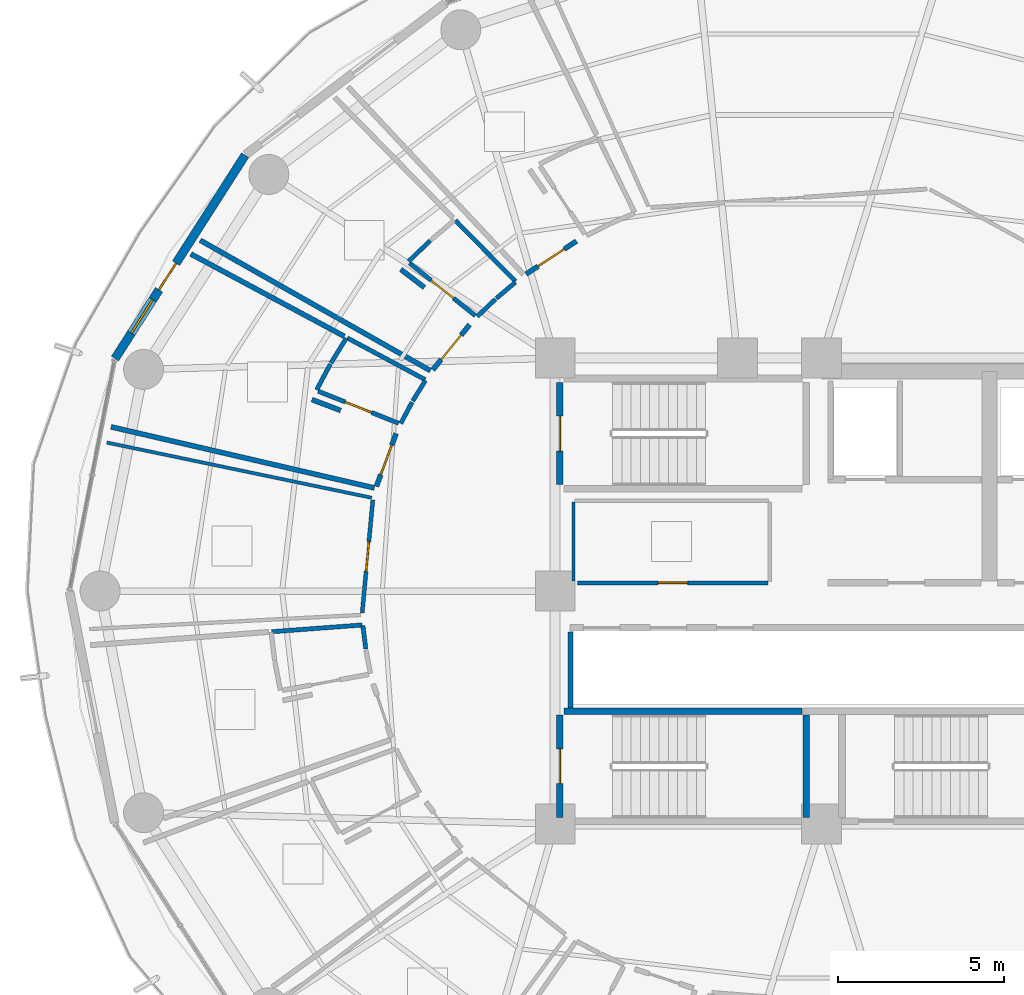
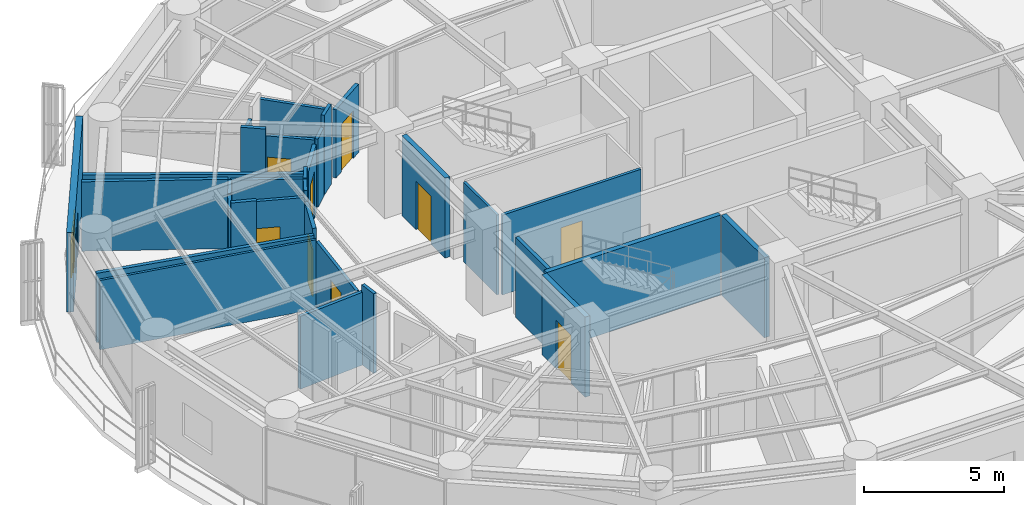
# One storey, part 22 of 28: 31 walls, 10 doors, 1 window, 11 openings.
"""IFC4 building model written with IfcOpenShell, lengths in metres."""

from ifc_helpers import new_model, si_unit, direction, frame, frame_2d, origin, place, context, subcontext, project, spatial, rectangle, extrude, material, layer, layer_set, type_object, element, fill, save


model = new_model("IFC4")

# Units and contexts
model_context = context("Model", 3, precision=1e-05, world=origin(), true_north=direction((0.0, 1.0)))
body_context = subcontext(model_context, "Body", "Model", "MODEL_VIEW")
ifc_project = project(units=[si_unit("LENGTHUNIT", "METRE"), si_unit("AREAUNIT", "SQUARE_METRE"), si_unit("VOLUMEUNIT", "CUBIC_METRE"), si_unit("PLANEANGLEUNIT", "RADIAN"), si_unit("MASSUNIT", "GRAM", prefix="KILO")], contexts=[model_context])

# Site, building, storey
site_placement = place(None, origin())
site = spatial("IfcSite", under=ifc_project, at=site_placement, CompositionType="ELEMENT")
building_placement = place(site_placement, origin())
building = spatial("IfcBuilding", under=site, at=building_placement, Name="Kelanora Arch Commons", CompositionType="ELEMENT")
storey_placement = place(building_placement, frame((0.0, 0.0, 139.35009765625)))
storey = spatial("IfcBuildingStorey", under=building, at=storey_placement, Name="L35", CompositionType="ELEMENT", Elevation=139.35009765625)

# Wall
ifc_material_1 = material(Name="Autoclaved aerated concrete blockwork with fire plaster", Category="masonry")
ifc_layer_1 = layer(ifc_material_1, 0.14990234375)
ifc_layer_set_1 = layer_set([ifc_layer_1], Name="Autoclaved aerated concrete blockwork with fire plaster")
wall_type_1 = type_object("IfcWallType", Name="W-COMP-150", PredefinedType="PARTITIONING", material=ifc_layer_set_1)
wall_1_placement = place(storey_placement, frame((66.4599609375, 54.47998046875, 0.0), z_axis=(0.0, 0.0, 1.0), x_axis=(0.0, 1.0, 0.0)))
element("IfcWall", 1, at=wall_1_placement, inside=storey, type_object=wall_type_1, Name="South Lift Bank West Wall L35", PredefinedType="PARTITIONING", context=body_context, shape_type="SweptSolid", body=[
    extrude(rectangle(XDim=2.2900390625, YDim=0.14990234375, at=frame_2d((1.14501953125, 0.0))), origin(), (0.0, 0.0, 1.0), 3.47998046875),
])

# Wall, opening, door
wall_2_placement = place(storey_placement, frame((66.63671875, 68.51708984375, 0.0), z_axis=(0.0, 0.0, 1.0), x_axis=(-0.836795974783, -0.547514836864, 0.0)))
wall_2 = element("IfcWall", 2, at=wall_2_placement, inside=storey, type_object=wall_type_1, Name="Cluster Bedroom L35-01 Entry Partition", PredefinedType="PARTITIONING", context=body_context, shape_type="SweptSolid", body=[
    extrude(rectangle(XDim=1.80859375, YDim=0.14990234375, at=frame_2d((0.904296875, 0.0))), origin(), (0.0, 0.0, 1.0), 2.974853515625),
])
opening_1_placement = place(wall_2_placement, frame((0.428955078125, 0.0, 0.0)))
opening_1 = element("IfcOpeningElement", 3, at=opening_1_placement, cuts=wall_2, Name="Opening D-CLU1", PredefinedType="OPENING", context=body_context, shape_type="SweptSolid", body=[
    extrude(rectangle(XDim=0.949951171875, YDim=2.080078125, at=frame_2d((0.47509765625, 1.0400390625))), frame((0.0, 0.0849609375, 0.0), z_axis=(0.0, -1.0, 0.0), x_axis=(1.0, 0.0, 0.0)), (0.0, 0.0, 1.0), 0.169921875),
])
ifc_material_2 = material(Name="Solid-core acoustic timber cluster entry fire door", Category="wood")
door_type_1 = type_object("IfcDoorType", Name="D-CLU-95", OperationType="NOTDEFINED", PredefinedType="DOOR", material=ifc_material_2)
door_1_placement = place(opening_1_placement, origin())
door_1 = element("IfcDoor", 4, at=door_1_placement, inside=storey, type_object=door_type_1, Name="Cluster Bedroom L35-01 Door", OperationType="SINGLE_SWING_RIGHT", OverallHeight=2.080078125, OverallWidth=0.949951171875, PredefinedType="DOOR", context=body_context, shape_type="SweptSolid", body=[
    extrude(rectangle(XDim=0.949951171875, YDim=2.080078125, at=frame_2d((0.47509765625, 1.0400390625))), frame((0.0, 0.02490234375, 0.0), z_axis=(0.0, -1.0, 0.0), x_axis=(1.0, 0.0, 0.0)), (0.0, 0.0, 1.0), 0.050048828125),
])
fill(opening_1, door_1)

wall_3_placement = place(storey_placement, frame((63.426025390625, 66.005615234375, 0.0), z_axis=(0.0, 0.0, 1.0), x_axis=(-0.63192798372, -0.775027111391, 0.0)))
wall_3 = element("IfcWall", 5, at=wall_3_placement, inside=storey, type_object=wall_type_1, Name="Cluster Bedroom L35-02 Entry Partition", PredefinedType="PARTITIONING", context=body_context, shape_type="SweptSolid", body=[
    extrude(rectangle(XDim=1.7470703125, YDim=0.14990234375, at=frame_2d((0.87353515625, 0.0))), origin(), (0.0, 0.0, 1.0), 2.974853515625),
])
opening_2_placement = place(wall_3_placement, frame((0.39892578125, 0.0, 0.0)))
opening_2 = element("IfcOpeningElement", 6, at=opening_2_placement, cuts=wall_3, Name="Opening D-CLU1", PredefinedType="OPENING", context=body_context, shape_type="SweptSolid", body=[
    extrude(rectangle(XDim=0.949951171875, YDim=2.080078125, at=frame_2d((0.47509765625, 1.0400390625))), frame((0.0, 0.0849609375, 0.0), z_axis=(0.0, -1.0, 0.0), x_axis=(1.0, 0.0, 0.0)), (0.0, 0.0, 1.0), 0.169921875),
])
door_2_placement = place(opening_2_placement, origin())
door_2 = element("IfcDoor", 7, at=door_2_placement, inside=storey, type_object=door_type_1, Name="Cluster Bedroom L35-02 Door", OperationType="SINGLE_SWING_RIGHT", OverallHeight=2.080078125, OverallWidth=0.949951171875, PredefinedType="DOOR", context=body_context, shape_type="SweptSolid", body=[
    extrude(rectangle(XDim=0.949951171875, YDim=2.080078125, at=frame_2d((0.47509765625, 1.0400390625))), frame((0.0, 0.02490234375, 0.0), z_axis=(0.0, -1.0, 0.0), x_axis=(1.0, 0.0, 0.0)), (0.0, 0.0, 1.0), 0.050048828125),
])
fill(opening_2, door_2)

wall_4_placement = place(storey_placement, frame((61.218017578125, 62.73583984375, 0.0), z_axis=(0.0, 0.0, 1.0), x_axis=(-0.349718783302, -0.93685472332, 0.0)))
wall_4 = element("IfcWall", 8, at=wall_4_placement, inside=storey, type_object=wall_type_1, Name="Cluster Bedroom L35-03 Entry Partition", PredefinedType="PARTITIONING", context=body_context, shape_type="SweptSolid", body=[
    extrude(rectangle(XDim=1.69580078125, YDim=0.14990234375, at=frame_2d((0.847900390625, 0.0))), origin(), (0.0, 0.0, 1.0), 3.23486328125),
])
opening_3_placement = place(wall_4_placement, frame((0.373046875, 0.0, 0.0)))
opening_3 = element("IfcOpeningElement", 9, at=opening_3_placement, cuts=wall_4, Name="Opening D-CLU1", PredefinedType="OPENING", context=body_context, shape_type="SweptSolid", body=[
    extrude(rectangle(XDim=0.949951171875, YDim=2.080078125, at=frame_2d((0.47509765625, 1.0400390625))), frame((0.0, 0.0849609375, 0.0), z_axis=(0.0, -1.0, 0.0), x_axis=(1.0, 0.0, 0.0)), (0.0, 0.0, 1.0), 0.169921875),
])
door_3_placement = place(opening_3_placement, origin())
door_3 = element("IfcDoor", 10, at=door_3_placement, inside=storey, type_object=door_type_1, Name="Cluster Bedroom L35-03 Door", OperationType="SINGLE_SWING_RIGHT", OverallHeight=2.080078125, OverallWidth=0.949951171875, PredefinedType="DOOR", context=body_context, shape_type="SweptSolid", body=[
    extrude(rectangle(XDim=0.949951171875, YDim=2.080078125, at=frame_2d((0.47509765625, 1.0400390625))), frame((0.0, 0.02490234375, 0.0), z_axis=(0.0, -1.0, 0.0), x_axis=(1.0, 0.0, 0.0)), (0.0, 0.0, 1.0), 0.050048828125),
])
fill(opening_3, door_3)

# Walls
wall_5_placement = place(storey_placement, frame((62.249267578125, 64.624755859375, 0.0), z_axis=(0.0, 0.0, 1.0), x_axis=(-0.870077493263, 0.492914957896, 0.0)))
element("IfcWall", 11, at=wall_5_placement, inside=storey, type_object=wall_type_1, Name="Cluster Bedroom L35-02 Enclosure Partition 2", PredefinedType="PARTITIONING", context=body_context, shape_type="SweptSolid", body=[
    extrude(rectangle(XDim=7.95166015625, YDim=0.14990234375, at=frame_2d((3.975830078125, 0.0))), origin(), (0.0, 0.0, 1.0), 2.974853515625),
])
wall_6_placement = place(storey_placement, frame((61.359619140625, 67.668701171875, 0.0), z_axis=(0.0, 0.0, 1.0), x_axis=(0.793020417561, -0.609195056884, 0.0)))
element("IfcWall", 12, at=wall_6_placement, inside=storey, type_object=wall_type_1, Name="Cluster Bedroom L35-02 Enclosure Partition 7", PredefinedType="PARTITIONING", context=body_context, shape_type="SweptSolid", body=[
    extrude(rectangle(XDim=0.892578125, YDim=0.14990234375, at=frame_2d((0.4462890625, 0.0))), origin(), (0.0, 0.0, 1.0), 3.47998046875),
])
wall_7_placement = place(storey_placement, frame((60.56494140625, 61.10009765625, 0.0), z_axis=(0.0, 0.0, 1.0), x_axis=(-0.97414388338, 0.225928516292, 0.0)))
element("IfcWall", 13, at=wall_7_placement, inside=storey, type_object=wall_type_1, Name="Cluster Bedroom L35-03 Enclosure Partition 2", PredefinedType="PARTITIONING", context=body_context, shape_type="SweptSolid", body=[
    extrude(rectangle(XDim=8.121826171875, YDim=0.14990234375, at=frame_2d((4.06103515625, 0.0))), origin(), (0.0, 0.0, 1.0), 3.02490234375),
])
wall_8_placement = place(storey_placement, frame((55.04931640625, 68.131103515625, 0.0), z_axis=(0.0, 0.0, 1.0), x_axis=(0.881257916537, -0.472635678447, 0.0)))
element("IfcWall", 14, at=wall_8_placement, inside=storey, type_object=wall_type_1, Name="Cluster Bedroom L35-03 Enclosure Partition 5", PredefinedType="PARTITIONING", context=body_context, shape_type="SweptSolid", body=[
    extrude(rectangle(XDim=5.232666015625, YDim=0.14990234375, at=frame_2d((2.6162109375, 0.0))), origin(), (0.0, 0.0, 1.0), 3.02490234375),
])
wall_9_placement = place(storey_placement, frame((58.6884765625, 63.7548828125, 0.0), z_axis=(0.0, 0.0, 1.0), x_axis=(0.935532386314, -0.353240929336, 0.0)))
element("IfcWall", 15, at=wall_9_placement, inside=storey, type_object=wall_type_1, Name="Cluster Bedroom L35-03 Enclosure Partition 7", PredefinedType="PARTITIONING", context=body_context, shape_type="SweptSolid", body=[
    extrude(rectangle(XDim=0.921875, YDim=0.14990234375, at=frame_2d((0.4609375, 0.0))), origin(), (0.0, 0.0, 1.0), 3.47998046875),
])

# Wall, openings, door, window
ifc_material_3 = material(Name="Precast concrete C40/50 with terracotta rainscreen", Category="masonry")
ifc_layer_2 = layer(ifc_material_3, 0.260009765625)
ifc_layer_set_2 = layer_set([ifc_layer_2], Name="Precast concrete C40/50 with terracotta rainscreen")
wall_type_2 = type_object("IfcWallType", Name="W-EXT-TC", PredefinedType="SOLIDWALL", material=ifc_layer_set_2)
wall_10_placement = place(storey_placement, frame((56.67919921875, 71.100341796875, 0.0), z_axis=(0.0, 0.0, 1.0), x_axis=(-0.538801521808, -0.842432739213, 0.0)))
wall_10 = element("IfcWall", 16, at=wall_10_placement, inside=storey, type_object=wall_type_2, Name="Terracotta Exterior Wall L35-B07", PredefinedType="SOLIDWALL", context=body_context, shape_type="SweptSolid", body=[
    extrude(rectangle(XDim=7.25341796875, YDim=0.260009765625, at=frame_2d((3.626708984375, 0.0))), origin(), (0.0, 0.0, 1.0), 3.474853515625),
])
opening_4_placement = place(wall_10_placement, frame((3.85205078125, 0.0, 0.0)))
opening_4 = element("IfcOpeningElement", 17, at=opening_4_placement, cuts=wall_10, Name="Opening DB-01", PredefinedType="OPENING", context=body_context, shape_type="SweptSolid", body=[
    extrude(rectangle(XDim=0.949951171875, YDim=2.10009765625, at=frame_2d((0.47509765625, 1.050048828125))), frame((0.0, 0.14013671875, 0.0), z_axis=(0.0, -1.0, 0.0), x_axis=(1.0, 0.0, 0.0)), (0.0, 0.0, 1.0), 0.280029296875),
])
opening_5_placement = place(wall_10_placement, frame((5.152099609375, 0.0, 0.85009765625)))
opening_5 = element("IfcOpeningElement", 18, at=opening_5_placement, cuts=wall_10, Name="Opening WN-02", PredefinedType="OPENING", context=body_context, shape_type="SweptSolid", body=[
    extrude(rectangle(XDim=1.199951171875, YDim=1.449951171875, at=frame_2d((0.60009765625, 0.72509765625))), frame((0.0, 0.14013671875, 0.0), z_axis=(0.0, -1.0, 0.0), x_axis=(1.0, 0.0, 0.0)), (0.0, 0.0, 1.0), 0.280029296875),
])
ifc_material_4 = material(Name="Terracotta-aluminium thermally broken glazed balcony door", Category="masonry")
door_type_2 = type_object("IfcDoorType", Name="D-BAL-10", OperationType="NOTDEFINED", PredefinedType="DOOR", material=ifc_material_4)
door_4_placement = place(opening_4_placement, frame((0.949951171875, 0.0, 0.0), z_axis=(0.0, 0.0, 1.0), x_axis=(-1.0, 0.0, 0.0)))
door_4 = element("IfcDoor", 19, at=door_4_placement, inside=storey, type_object=door_type_2, Name="Wave Balcony Door L35-B07", OperationType="SINGLE_SWING_LEFT", OverallHeight=2.10009765625, OverallWidth=0.949951171875, PredefinedType="DOOR", context=body_context, shape_type="SweptSolid", body=[
    extrude(rectangle(XDim=0.949951171875, YDim=2.10009765625, at=frame_2d((0.47509765625, 1.050048828125))), frame((0.0, 0.02490234375, 0.0), z_axis=(0.0, -1.0, 0.0), x_axis=(1.0, 0.0, 0.0)), (0.0, 0.0, 1.0), 0.050048828125),
])
fill(opening_4, door_4)
ifc_material_5 = material(Name="Terracotta-anodised aluminium frame with operable awning sash", Category="masonry")
window_type = type_object("IfcWindowType", Name="WIN-CL-12", PartitioningType="SINGLE_PANEL", PredefinedType="WINDOW", material=ifc_material_5)
window_placement = place(opening_5_placement, origin())
window = element("IfcWindow", 20, at=window_placement, inside=storey, type_object=window_type, Name="Co-Living Operable Window L35-B07", OverallHeight=1.449951171875, OverallWidth=1.199951171875, PartitioningType="SINGLE_PANEL", PredefinedType="WINDOW", context=body_context, shape_type="SweptSolid", body=[
    extrude(rectangle(XDim=1.199951171875, YDim=1.449951171875, at=frame_2d((0.60009765625, 0.72509765625))), frame((0.0, 0.030029296875, 0.0), z_axis=(0.0, -1.0, 0.0), x_axis=(1.0, 0.0, 0.0)), (0.0, 0.0, 1.0), 0.06005859375),
])
fill(opening_5, window)

# Walls
ifc_material_6 = material(Name="Lightweight fire-rated acoustic stud partition")
ifc_layer_3 = layer(ifc_material_6, 0.10009765625)
ifc_layer_set_3 = layer_set([ifc_layer_3], Name="Lightweight fire-rated acoustic stud partition")
wall_type_3 = type_object("IfcWallType", Name="W-PART-100", PredefinedType="PARTITIONING", material=ifc_layer_set_3)
wall_11_placement = place(storey_placement, frame((66.550048828125, 60.679931640625, 0.0), z_axis=(0.0, 0.0, 1.0), x_axis=(0.0, -1.0, 0.0)))
element("IfcWall", 21, at=wall_11_placement, inside=storey, type_object=wall_type_3, Name="Reclaimed Core Study Pod Lounge L35 Enclosure Partition 4", PredefinedType="PARTITIONING", context=body_context, shape_type="SweptSolid", body=[
    extrude(rectangle(XDim=2.383056640625, YDim=0.10009765625, at=frame_2d((1.19140625, 0.0))), origin(), (0.0, 0.0, 1.0), 3.47998046875),
])
wall_12_placement = place(storey_placement, frame((52.525146484375, 62.4638671875, 0.0), z_axis=(0.0, 0.0, 1.0), x_axis=(0.978946183013, -0.204118521367, 0.0)))
element("IfcWall", 22, at=wall_12_placement, inside=storey, type_object=wall_type_3, Name="Shared Cluster Kitchen L35-04 Enclosure Partition 4", PredefinedType="PARTITIONING", context=body_context, shape_type="SweptSolid", body=[
    extrude(rectangle(XDim=8.130859375, YDim=0.10009765625, at=frame_2d((4.0654296875, 0.0))), origin(), (0.0, 0.0, 1.0), 3.02490234375),
])

# Wall, opening, door
ifc_material_7 = material(Name="Acoustic twin-stud fire-rated gypsum partition")
ifc_layer_4 = layer(ifc_material_7, 0.1201171875)
ifc_layer_set_4 = layer_set([ifc_layer_4], Name="Acoustic twin-stud fire-rated gypsum partition")
wall_type_4 = type_object("IfcWallType", Name="W-PART-120", PredefinedType="PARTITIONING", material=ifc_layer_set_4)
wall_13_placement = place(storey_placement, frame((66.67529296875, 58.25, 0.0), z_axis=(0.0, 0.0, 1.0), x_axis=(1.0, 0.0, 0.0)))
wall_13 = element("IfcWall", 23, at=wall_13_placement, inside=storey, type_object=wall_type_4, Name="Reclaimed Core Study Pod Lounge L35 Entry Partition", PredefinedType="PARTITIONING", context=body_context, shape_type="SweptSolid", body=[
    extrude(rectangle(XDim=5.714599609375, YDim=0.1201171875, at=frame_2d((2.857421875, 0.0))), origin(), (0.0, 0.0, 1.0), 3.47998046875),
])
opening_6_placement = place(wall_13_placement, frame((2.406982421875, 0.0, 0.0)))
opening_6 = element("IfcOpeningElement", 24, at=opening_6_placement, cuts=wall_13, Name="Opening D-RM1", PredefinedType="OPENING", context=body_context, shape_type="SweptSolid", body=[
    extrude(rectangle(XDim=0.89990234375, YDim=2.080078125, at=frame_2d((0.449951171875, 1.0400390625))), frame((0.0, 0.070068359375, 0.0), z_axis=(0.0, -1.0, 0.0), x_axis=(1.0, 0.0, 0.0)), (0.0, 0.0, 1.0), 0.14013671875),
])
ifc_material_8 = material(Name="Acoustic fire-rated timber study and lounge door", Category="wood")
door_type_3 = type_object("IfcDoorType", Name="D-ROOM-90", OperationType="NOTDEFINED", PredefinedType="DOOR", material=ifc_material_8)
door_5_placement = place(opening_6_placement, origin())
door_5 = element("IfcDoor", 25, at=door_5_placement, inside=storey, type_object=door_type_3, Name="Reclaimed Core Study Pod Lounge L35 Door", OperationType="SINGLE_SWING_RIGHT", OverallHeight=2.080078125, OverallWidth=0.89990234375, PredefinedType="DOOR", context=body_context, shape_type="SweptSolid", body=[
    extrude(rectangle(XDim=0.89990234375, YDim=2.080078125, at=frame_2d((0.449951171875, 1.0400390625))), frame((0.0, 0.02490234375, 0.0), z_axis=(0.0, -1.0, 0.0), x_axis=(1.0, 0.0, 0.0)), (0.0, 0.0, 1.0), 0.050048828125),
])
fill(opening_6, door_5)

wall_14_placement = place(storey_placement, frame((60.518310546875, 60.736328125, 0.0), z_axis=(0.0, 0.0, 1.0), x_axis=(-0.093855600535, -0.995585820634, 0.0)))
wall_14 = element("IfcWall", 26, at=wall_14_placement, inside=storey, type_object=wall_type_4, Name="Shared Cluster Kitchen L35-04 Entry Partition", PredefinedType="PARTITIONING", context=body_context, shape_type="SweptSolid", body=[
    extrude(rectangle(XDim=3.40771484375, YDim=0.1201171875, at=frame_2d((1.703857421875, 0.0))), origin(), (0.0, 0.0, 1.0), 2.974853515625),
])
opening_7_placement = place(wall_14_placement, frame((1.25390625, 0.0, 0.0)))
opening_7 = element("IfcOpeningElement", 27, at=opening_7_placement, cuts=wall_14, Name="Opening D-RM1", PredefinedType="OPENING", context=body_context, shape_type="SweptSolid", body=[
    extrude(rectangle(XDim=0.89990234375, YDim=2.080078125, at=frame_2d((0.449951171875, 1.0400390625))), frame((0.0, 0.070068359375, 0.0), z_axis=(0.0, -1.0, 0.0), x_axis=(1.0, 0.0, 0.0)), (0.0, 0.0, 1.0), 0.14013671875),
])
door_6_placement = place(opening_7_placement, origin())
door_6 = element("IfcDoor", 28, at=door_6_placement, inside=storey, type_object=door_type_3, Name="Shared Cluster Kitchen L35-04 Door", OperationType="SINGLE_SWING_LEFT", OverallHeight=2.080078125, OverallWidth=0.89990234375, PredefinedType="DOOR", context=body_context, shape_type="SweptSolid", body=[
    extrude(rectangle(XDim=0.89990234375, YDim=2.080078125, at=frame_2d((0.449951171875, 1.0400390625))), frame((0.0, 0.02490234375, 0.0), z_axis=(0.0, -1.0, 0.0), x_axis=(1.0, 0.0, 0.0)), (0.0, 0.0, 1.0), 0.050048828125),
])
fill(opening_7, door_6)

ifc_material_9 = material(Name="Concrete C40/50", Category="concrete")
ifc_layer_5 = layer(ifc_material_9, 0.199951171875)
ifc_layer_set_5 = layer_set([ifc_layer_5], Name="Concrete C40/50")
wall_type_5 = type_object("IfcWallType", Name="W-STAIR-200", PredefinedType="SHEAR", material=ifc_layer_set_5)
wall_15_placement = place(storey_placement, frame((66.139892578125, 64.27001953125, 0.0), z_axis=(0.0, 0.0, 1.0), x_axis=(0.0, -1.0, 0.0)))
wall_15 = element("IfcWall", 29, at=wall_15_placement, inside=storey, type_object=wall_type_5, Name="Stair ST-T1 Shaft Wall W L35", PredefinedType="SHEAR", context=body_context, shape_type="SweptSolid", body=[
    extrude(rectangle(XDim=3.070068359375, YDim=0.199951171875, at=frame_2d((1.53515625, 0.0))), origin(), (0.0, 0.0, 1.0), 3.489990234375),
])
opening_8_placement = place(wall_15_placement, frame((1.010009765625, 0.0, 0.0)))
opening_8 = element("IfcOpeningElement", 30, at=opening_8_placement, cuts=wall_15, Name="Opening D-ST1", PredefinedType="OPENING", context=body_context, shape_type="SweptSolid", body=[
    extrude(rectangle(XDim=1.050048828125, YDim=2.10009765625, at=frame_2d((0.52490234375, 1.050048828125))), frame((0.0, 0.10986328125, 0.0), z_axis=(0.0, -1.0, 0.0), x_axis=(1.0, 0.0, 0.0)), (0.0, 0.0, 1.0), 0.219970703125),
])
ifc_material_10 = material(Name="Steel fire-rated stairwell escape door", Category="steel")
door_type_4 = type_object("IfcDoorType", Name="D-STAIR-110", OperationType="NOTDEFINED", PredefinedType="DOOR", material=ifc_material_10)
door_7_placement = place(opening_8_placement, origin())
door_7 = element("IfcDoor", 31, at=door_7_placement, inside=storey, type_object=door_type_4, Name="Stair ST-T1 Escape Door L35", OperationType="SINGLE_SWING_LEFT", OverallHeight=2.10009765625, OverallWidth=1.050048828125, PredefinedType="DOOR", context=body_context, shape_type="SweptSolid", body=[
    extrude(rectangle(XDim=1.050048828125, YDim=2.10009765625, at=frame_2d((0.52490234375, 1.050048828125))), frame((0.0, 0.02490234375, 0.0), z_axis=(0.0, -1.0, 0.0), x_axis=(1.0, 0.0, 0.0)), (0.0, 0.0, 1.0), 0.050048828125),
])
fill(opening_8, door_7)

# Walls
wall_16_placement = place(storey_placement, frame((73.5400390625, 51.199951171875, 0.0), z_axis=(0.0, 0.0, 1.0), x_axis=(0.0, 1.0, 0.0)))
element("IfcWall", 32, at=wall_16_placement, inside=storey, type_object=wall_type_5, Name="Stair ST-T3 Shaft Wall E L35", PredefinedType="SHEAR", context=body_context, shape_type="SweptSolid", body=[
    extrude(rectangle(XDim=3.070068359375, YDim=0.199951171875, at=frame_2d((1.53515625, 0.0))), origin(), (0.0, 0.0, 1.0), 3.489990234375),
])
wall_17_placement = place(storey_placement, frame((73.419921875, 54.389892578125, 0.0), z_axis=(0.0, 0.0, 1.0), x_axis=(-1.0, 0.0, 0.0)))
element("IfcWall", 33, at=wall_17_placement, inside=storey, type_object=wall_type_5, Name="Stair ST-T3 Shaft Wall N L35", PredefinedType="SHEAR", context=body_context, shape_type="SweptSolid", body=[
    extrude(rectangle(XDim=7.159912109375, YDim=0.199951171875, at=frame_2d((3.580078125, 0.0))), origin(), (0.0, 0.0, 1.0), 3.489990234375),
])

# Wall, opening, door
wall_18_placement = place(storey_placement, frame((66.139892578125, 54.27001953125, 0.0), z_axis=(0.0, 0.0, 1.0), x_axis=(0.0, -1.0, 0.0)))
wall_18 = element("IfcWall", 34, at=wall_18_placement, inside=storey, type_object=wall_type_5, Name="Stair ST-T3 Shaft Wall W L35", PredefinedType="SHEAR", context=body_context, shape_type="SweptSolid", body=[
    extrude(rectangle(XDim=3.070068359375, YDim=0.199951171875, at=frame_2d((1.53515625, 0.0))), origin(), (0.0, 0.0, 1.0), 3.489990234375),
])
opening_9_placement = place(wall_18_placement, frame((1.010009765625, 0.0, 0.0)))
opening_9 = element("IfcOpeningElement", 35, at=opening_9_placement, cuts=wall_18, Name="Opening D-ST1", PredefinedType="OPENING", context=body_context, shape_type="SweptSolid", body=[
    extrude(rectangle(XDim=1.050048828125, YDim=2.10009765625, at=frame_2d((0.52490234375, 1.050048828125))), frame((0.0, 0.10986328125, 0.0), z_axis=(0.0, -1.0, 0.0), x_axis=(1.0, 0.0, 0.0)), (0.0, 0.0, 1.0), 0.219970703125),
])
door_8_placement = place(opening_9_placement, origin())
door_8 = element("IfcDoor", 36, at=door_8_placement, inside=storey, type_object=door_type_4, Name="Stair ST-T3 Escape Door L35", OperationType="SINGLE_SWING_LEFT", OverallHeight=2.10009765625, OverallWidth=1.050048828125, PredefinedType="DOOR", context=body_context, shape_type="SweptSolid", body=[
    extrude(rectangle(XDim=1.050048828125, YDim=2.10009765625, at=frame_2d((0.52490234375, 1.050048828125))), frame((0.0, 0.02490234375, 0.0), z_axis=(0.0, -1.0, 0.0), x_axis=(1.0, 0.0, 0.0)), (0.0, 0.0, 1.0), 0.050048828125),
])
fill(opening_9, door_8)

ifc_material_11 = material(Name="Moisture-resistant fire-rated cement-board plumbing wall")
ifc_layer_6 = layer(ifc_material_11, 0.1298828125)
ifc_layer_set_6 = layer_set([ifc_layer_6], Name="Moisture-resistant fire-rated cement-board plumbing wall")
wall_type_6 = type_object("IfcWallType", Name="W-WET-120", PredefinedType="PLUMBINGWALL", material=ifc_layer_set_6)
wall_19_placement = place(storey_placement, frame((63.59912109375, 66.2783203125, 0.0), z_axis=(0.0, 0.0, 1.0), x_axis=(-0.781386491078, 0.624047395284, 0.0)))
wall_19 = element("IfcWall", 37, at=wall_19_placement, inside=storey, type_object=wall_type_6, Name="En-Suite Shower WC L35-02 Entry Partition", PredefinedType="PLUMBINGWALL", context=body_context, shape_type="SweptSolid", body=[
    extrude(rectangle(XDim=2.529296875, YDim=0.1298828125, at=frame_2d((1.2646484375, 0.0))), origin(), (0.0, 0.0, 1.0), 2.974853515625),
])
opening_10_placement = place(wall_19_placement, frame((0.8349609375, 0.0, 0.0)))
opening_10 = element("IfcOpeningElement", 38, at=opening_10_placement, cuts=wall_19, Name="Opening D-BT1", PredefinedType="OPENING", context=body_context, shape_type="SweptSolid", body=[
    extrude(rectangle(XDim=0.860107421875, YDim=2.050048828125, at=frame_2d((0.43017578125, 1.02490234375))), frame((0.0, 0.074951171875, 0.0), z_axis=(0.0, -1.0, 0.0), x_axis=(1.0, 0.0, 0.0)), (0.0, 0.0, 1.0), 0.14990234375),
])
ifc_material_12 = material(Name="Moisture-sealed fire-rated accessible bathroom door")
door_type_5 = type_object("IfcDoorType", Name="D-BATH-85", OperationType="NOTDEFINED", PredefinedType="DOOR", material=ifc_material_12)
door_9_placement = place(opening_10_placement, origin())
door_9 = element("IfcDoor", 39, at=door_9_placement, inside=storey, type_object=door_type_5, Name="En-Suite Shower WC L35-02 Door", OperationType="SINGLE_SWING_LEFT", OverallHeight=2.050048828125, OverallWidth=0.860107421875, PredefinedType="DOOR", context=body_context, shape_type="SweptSolid", body=[
    extrude(rectangle(XDim=0.860107421875, YDim=2.050048828125, at=frame_2d((0.43017578125, 1.02490234375))), frame((0.0, 0.02490234375, 0.0), z_axis=(0.0, -1.0, 0.0), x_axis=(1.0, 0.0, 0.0)), (0.0, 0.0, 1.0), 0.050048828125),
])
fill(opening_10, door_9)

wall_20_placement = place(storey_placement, frame((61.293212890625, 63.044189453125, 0.0), z_axis=(0.0, 0.0, 1.0), x_axis=(-0.929051463741, 0.369950507123, 0.0)))
wall_20 = element("IfcWall", 40, at=wall_20_placement, inside=storey, type_object=wall_type_6, Name="En-Suite Shower WC L35-03 Entry Partition", PredefinedType="PLUMBINGWALL", context=body_context, shape_type="SweptSolid", body=[
    extrude(rectangle(XDim=2.60205078125, YDim=0.1298828125, at=frame_2d((1.301025390625, 0.0))), origin(), (0.0, 0.0, 1.0), 3.23486328125),
])
opening_11_placement = place(wall_20_placement, frame((0.87109375, 0.0, 0.0)))
opening_11 = element("IfcOpeningElement", 41, at=opening_11_placement, cuts=wall_20, Name="Opening D-BT1", PredefinedType="OPENING", context=body_context, shape_type="SweptSolid", body=[
    extrude(rectangle(XDim=0.860107421875, YDim=2.050048828125, at=frame_2d((0.43017578125, 1.02490234375))), frame((0.0, 0.074951171875, 0.0), z_axis=(0.0, -1.0, 0.0), x_axis=(1.0, 0.0, 0.0)), (0.0, 0.0, 1.0), 0.14990234375),
])
door_10_placement = place(opening_11_placement, origin())
door_10 = element("IfcDoor", 42, at=door_10_placement, inside=storey, type_object=door_type_5, Name="En-Suite Shower WC L35-03 Door", OperationType="SINGLE_SWING_LEFT", OverallHeight=2.050048828125, OverallWidth=0.860107421875, PredefinedType="DOOR", context=body_context, shape_type="SweptSolid", body=[
    extrude(rectangle(XDim=0.860107421875, YDim=2.050048828125, at=frame_2d((0.43017578125, 1.02490234375))), frame((0.0, 0.02490234375, 0.0), z_axis=(0.0, -1.0, 0.0), x_axis=(1.0, 0.0, 0.0)), (0.0, 0.0, 1.0), 0.050048828125),
])
fill(opening_11, door_10)

# Walls
wall_21_placement = place(storey_placement, frame((64.802734375, 67.281982421875, 0.0), z_axis=(0.0, 0.0, 1.0), x_axis=(-0.762941836055, -0.646467133578, 0.0)))
element("IfcWall", 43, at=wall_21_placement, inside=storey, type_object=wall_type_6, Name="En-Suite Shower WC L35-02 Enclosure Partition 1", PredefinedType="PLUMBINGWALL", context=body_context, shape_type="SweptSolid", body=[
    extrude(rectangle(XDim=0.75048828125, YDim=0.1298828125, at=frame_2d((0.375244140625, 0.0))), origin(), (0.0, 0.0, 1.0), 3.47998046875),
])
wall_22_placement = place(storey_placement, frame((64.200439453125, 66.770263671875, 0.0), z_axis=(0.0, 0.0, 1.0), x_axis=(-0.723429788657, -0.690397958343, 0.0)))
element("IfcWall", 44, at=wall_22_placement, inside=storey, type_object=wall_type_6, Name="En-Suite Shower WC L35-02 Enclosure Partition 2", PredefinedType="PLUMBINGWALL", context=body_context, shape_type="SweptSolid", body=[
    extrude(rectangle(XDim=0.74658203125, YDim=0.1298828125, at=frame_2d((0.373291015625, 0.0))), origin(), (0.0, 0.0, 1.0), 2.974853515625),
])
wall_23_placement = place(storey_placement, frame((61.590576171875, 67.90771484375, 0.0), z_axis=(0.0, 0.0, 1.0), x_axis=(0.722606643047, 0.691259458831, 0.0)))
element("IfcWall", 45, at=wall_23_placement, inside=storey, type_object=wall_type_6, Name="En-Suite Shower WC L35-02 Enclosure Partition 4", PredefinedType="PLUMBINGWALL", context=body_context, shape_type="SweptSolid", body=[
    extrude(rectangle(XDim=0.9033203125, YDim=0.1298828125, at=frame_2d((0.45166015625, 0.0))), origin(), (0.0, 0.0, 1.0), 2.974853515625),
])
wall_24_placement = place(storey_placement, frame((62.99609375, 69.144775390625, 0.0), z_axis=(0.0, 0.0, 1.0), x_axis=(0.701684931383, -0.712487373271, 0.0)))
element("IfcWall", 46, at=wall_24_placement, inside=storey, type_object=wall_type_6, Name="En-Suite Shower WC L35-02 Enclosure Partition 6", PredefinedType="PLUMBINGWALL", context=body_context, shape_type="SweptSolid", body=[
    extrude(rectangle(XDim=2.576416015625, YDim=0.1298828125, at=frame_2d((1.2880859375, 0.0))), origin(), (0.0, 0.0, 1.0), 3.23486328125),
])
wall_25_placement = place(storey_placement, frame((62.097412109375, 64.3291015625, 0.0), z_axis=(0.0, 0.0, 1.0), x_axis=(-0.524547607878, -0.851381117402, 0.0)))
element("IfcWall", 47, at=wall_25_placement, inside=storey, type_object=wall_type_6, Name="En-Suite Shower WC L35-03 Enclosure Partition 1", PredefinedType="PLUMBINGWALL", context=body_context, shape_type="SweptSolid", body=[
    extrude(rectangle(XDim=0.72607421875, YDim=0.1298828125, at=frame_2d((0.363037109375, 0.0))), origin(), (0.0, 0.0, 1.0), 3.47998046875),
])
wall_26_placement = place(storey_placement, frame((61.696533203125, 63.67626953125, 0.0), z_axis=(0.0, 0.0, 1.0), x_axis=(-0.469163481751, -0.88311133352, 0.0)))
element("IfcWall", 48, at=wall_26_placement, inside=storey, type_object=wall_type_6, Name="En-Suite Shower WC L35-03 Enclosure Partition 2", PredefinedType="PLUMBINGWALL", context=body_context, shape_type="SweptSolid", body=[
    extrude(rectangle(XDim=0.720703125, YDim=0.1298828125, at=frame_2d((0.3603515625, 0.0))), origin(), (0.0, 0.0, 1.0), 3.47998046875),
])
wall_27_placement = place(storey_placement, frame((58.829345703125, 64.046630859375, 0.0), z_axis=(0.0, 0.0, 1.0), x_axis=(0.469311809042, 0.883032516895, 0.0)))
element("IfcWall", 49, at=wall_27_placement, inside=storey, type_object=wall_type_6, Name="En-Suite Shower WC L35-03 Enclosure Partition 4", PredefinedType="PLUMBINGWALL", context=body_context, shape_type="SweptSolid", body=[
    extrude(rectangle(XDim=0.8740234375, YDim=0.1298828125, at=frame_2d((0.43701171875, 0.0))), origin(), (0.0, 0.0, 1.0), 2.974853515625),
])
wall_28_placement = place(storey_placement, frame((59.259521484375, 64.85302734375, 0.0), z_axis=(0.0, 0.0, 1.0), x_axis=(0.524097425664, 0.851658316705, 0.0)))
element("IfcWall", 50, at=wall_28_placement, inside=storey, type_object=wall_type_6, Name="En-Suite Shower WC L35-03 Enclosure Partition 5", PredefinedType="PLUMBINGWALL", context=body_context, shape_type="SweptSolid", body=[
    extrude(rectangle(XDim=0.87939453125, YDim=0.1298828125, at=frame_2d((0.439697265625, 0.0))), origin(), (0.0, 0.0, 1.0), 2.974853515625),
])
wall_29_placement = place(storey_placement, frame((59.74853515625, 65.609619140625, 0.0), z_axis=(0.0, 0.0, 1.0), x_axis=(0.881540078275, -0.472109193296, 0.0)))
element("IfcWall", 51, at=wall_29_placement, inside=storey, type_object=wall_type_6, Name="En-Suite Shower WC L35-03 Enclosure Partition 6", PredefinedType="PLUMBINGWALL", context=body_context, shape_type="SweptSolid", body=[
    extrude(rectangle(XDim=2.656494140625, YDim=0.1298828125, at=frame_2d((1.328125, 0.0))), origin(), (0.0, 0.0, 1.0), 2.974853515625),
])
wall_30_placement = place(storey_placement, frame((60.219482421875, 56.962158203125, 0.0), z_axis=(0.0, 0.0, 1.0), x_axis=(0.12297181285, -0.992410163816, 0.0)))
element("IfcWall", 52, at=wall_30_placement, inside=storey, type_object=wall_type_6, Name="En-Suite Shower WC L35-05 Enclosure Partition 1", PredefinedType="PLUMBINGWALL", context=body_context, shape_type="SweptSolid", body=[
    extrude(rectangle(XDim=0.706787109375, YDim=0.1298828125, at=frame_2d((0.353515625, 0.0))), origin(), (0.0, 0.0, 1.0), 3.47998046875),
])
wall_31_placement = place(storey_placement, frame((57.48095703125, 56.778564453125, 0.0), z_axis=(0.0, 0.0, 1.0), x_axis=(0.997248398148, 0.074132532608, 0.0)))
element("IfcWall", 53, at=wall_31_placement, inside=storey, type_object=wall_type_6, Name="En-Suite Shower WC L35-05 Enclosure Partition 6", PredefinedType="PLUMBINGWALL", context=body_context, shape_type="SweptSolid", body=[
    extrude(rectangle(XDim=2.7236328125, YDim=0.1298828125, at=frame_2d((1.36181640625, 0.0))), origin(), (0.0, 0.0, 1.0), 3.1748046875),
])

save(model, "model.ifc")
